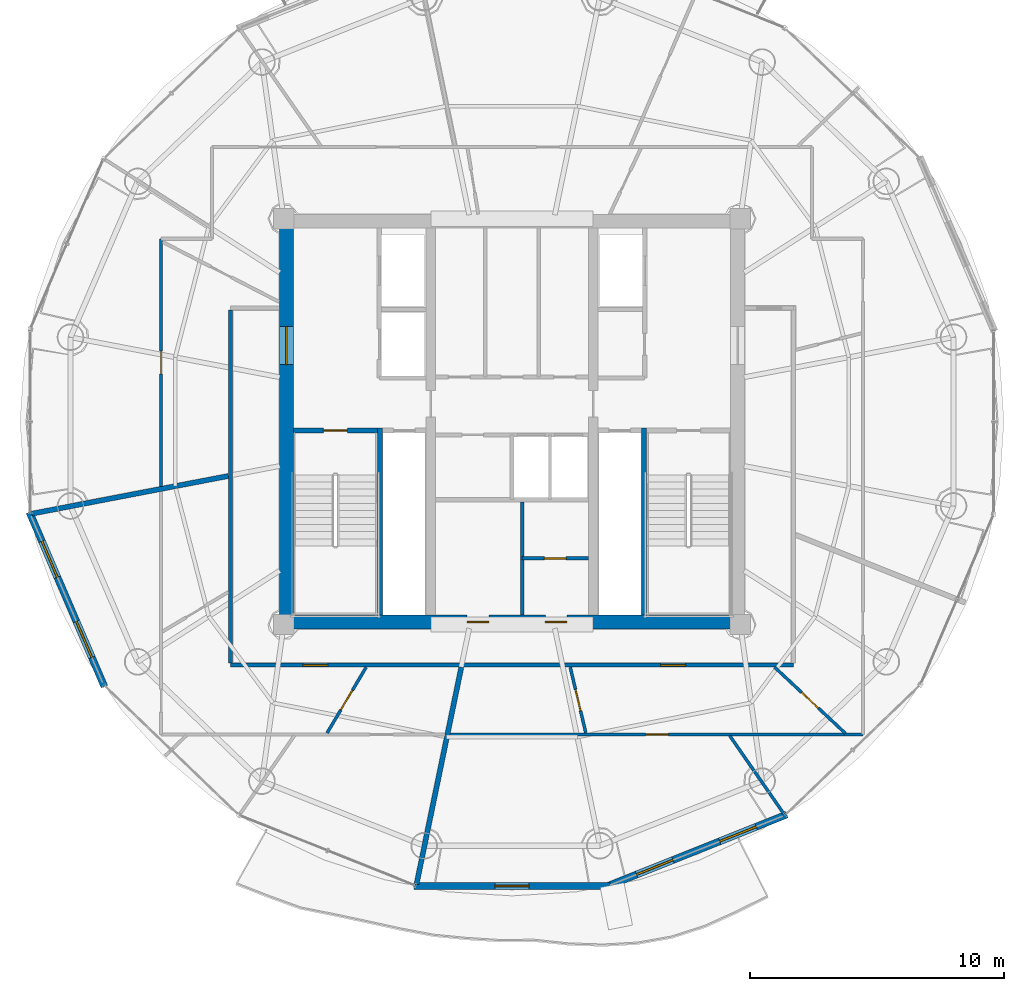
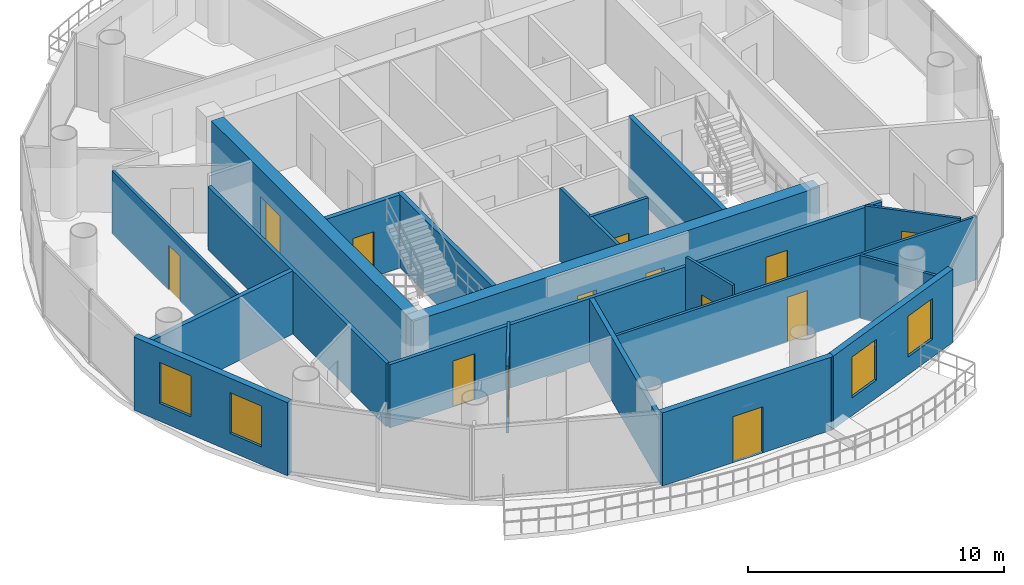
# One storey, part 17 of 23: 20 walls, 13 doors, 4 windows, 17 openings.
"""IFC4 building model written with IfcOpenShell, lengths in metres."""

from ifc_helpers import new_model, si_unit, direction, frame, frame_2d, origin, place, context, subcontext, project, spatial, rectangle, extrude, source, transform, mapped, material, layer, layer_set, type_object, element, fill, save


model = new_model("IFC4")

# Units and contexts
model_context = context("Model", 3, precision=1e-05, world=origin(), true_north=direction((-0.2419218956, 0.970295726276)))
body_context = subcontext(model_context, "Body", "Model", "MODEL_VIEW")
ifc_project = project(units=[si_unit("LENGTHUNIT", "METRE"), si_unit("AREAUNIT", "SQUARE_METRE"), si_unit("VOLUMEUNIT", "CUBIC_METRE"), si_unit("PLANEANGLEUNIT", "RADIAN"), si_unit("MASSUNIT", "GRAM", prefix="KILO")], contexts=[model_context])

# Site, building, storey
site_placement = place(None, origin())
site = spatial("IfcSite", under=ifc_project, at=site_placement, CompositionType="ELEMENT")
building_placement = place(site_placement, origin())
building = spatial("IfcBuilding", under=site, at=building_placement, Name="Cobrevalo Terracotta Tower", CompositionType="ELEMENT")
storey_placement = place(building_placement, frame((0.0, 0.0, 255.699951171875)))
storey = spatial("IfcBuildingStorey", under=building, at=storey_placement, Name="L67", CompositionType="ELEMENT", Elevation=255.699951171875)

# Wall, openings, doors
ifc_material_1 = material(Name="Concrete C50", Category="concrete")
ifc_layer_1 = layer(ifc_material_1, 0.550048828125)
ifc_layer_set_1 = layer_set([ifc_layer_1], Name="Concrete C50")
wall_type_1 = type_object("IfcWallType", Name="Core shear wall 550 mm Concrete C50", PredefinedType="SHEAR", material=ifc_layer_set_1)
wall_1_placement = place(storey_placement, frame((28.824951171875, 18.89990234375, 0.0), z_axis=(0.0, 0.0, 1.0), x_axis=(1.0, 0.0, 0.0)))
wall_1 = element("IfcWall", 1, at=wall_1_placement, inside=storey, type_object=wall_type_1, Name="L67 south core shear wall", PredefinedType="SHEAR", context=body_context, shape_type="SweptSolid", body=[
    extrude(rectangle(XDim=18.35009765625, YDim=0.550048828125, at=frame_2d((9.175048828125, 0.0))), origin(), (0.0, 0.0, 1.0), 3.489990234375),
])
opening_1_placement = place(wall_1_placement, frame((7.409912109375, 0.0, 0.0)))
opening_1 = element("IfcOpeningElement", 2, at=opening_1_placement, cuts=wall_1, Name="Opening ID-22", PredefinedType="OPENING", context=body_context, shape_type="SweptSolid", body=[
    extrude(rectangle(XDim=0.85009765625, YDim=2.10009765625, at=frame_2d((0.425048828125, 1.050048828125))), frame((0.0, 0.28515625, 0.0), z_axis=(0.0, -1.0, 0.0), x_axis=(1.0, 0.0, 0.0)), (0.0, 0.0, 1.0), 0.570068359375),
])
opening_2_placement = place(wall_1_placement, frame((10.489990234375, 0.0, 0.0)))
opening_2 = element("IfcOpeningElement", 3, at=opening_2_placement, cuts=wall_1, Name="Opening ID-22", PredefinedType="OPENING", context=body_context, shape_type="SweptSolid", body=[
    extrude(rectangle(XDim=0.85009765625, YDim=2.10009765625, at=frame_2d((0.425048828125, 1.050048828125))), frame((0.0, 0.28515625, 0.0), z_axis=(0.0, -1.0, 0.0), x_axis=(1.0, 0.0, 0.0)), (0.0, 0.0, 1.0), 0.570068359375),
])
ifc_material_2 = material(Name="Powder-coated steel", Category="steel")
door_type_1 = type_object("IfcDoorType", Name="Riser shaft & meter closet fire access door 850x2100 EI 60", OperationType="NOTDEFINED", PredefinedType="DOOR", material=ifc_material_2)
shared_shape_1 = source(origin(), body_context, "Body", "SweptSolid", [
    extrude(rectangle(XDim=0.85009765625, YDim=2.10009765625, at=frame_2d((0.425048828125, 1.050048828125))), frame((0.0, 0.02490234375, 0.0), z_axis=(0.0, -1.0, 0.0), x_axis=(1.0, 0.0, 0.0)), (0.0, 0.0, 1.0), 0.050048828125),
])
door_1_placement = place(opening_1_placement, origin())
door_1 = element("IfcDoor", 4, at=door_1_placement, inside=storey, type_object=door_type_1, Name="L67 core south plant door Floor AHU Mechanical Plant", OperationType="SINGLE_SWING_RIGHT", OverallHeight=2.10009765625, OverallWidth=0.85009765625, PredefinedType="DOOR", context=body_context, shape_type="MappedRepresentation", body=[
    mapped(shared_shape_1, transform((0.0, 0.0, 0.0), scale=1.0)),
])
fill(opening_1, door_1)
door_2_placement = place(opening_2_placement, origin())
door_2 = element("IfcDoor", 5, at=door_2_placement, inside=storey, type_object=door_type_1, Name="L67 core south plant door Sprinkler Valve Plant", OperationType="SINGLE_SWING_RIGHT", OverallHeight=2.10009765625, OverallWidth=0.85009765625, PredefinedType="DOOR", context=body_context, shape_type="MappedRepresentation", body=[
    mapped(shared_shape_1, transform((0.0, 0.0, 0.0), scale=1.0)),
])
fill(opening_2, door_2)

# Wall, opening, door
wall_2_placement = place(storey_placement, frame((29.10009765625, 19.175048828125, 0.0), z_axis=(0.0, 0.0, 1.0), x_axis=(0.0, 1.0, 0.0)))
wall_2 = element("IfcWall", 6, at=wall_2_placement, inside=storey, type_object=wall_type_1, Name="L67 west core shear wall", PredefinedType="SHEAR", context=body_context, shape_type="SweptSolid", body=[
    extrude(rectangle(XDim=15.25, YDim=0.550048828125, at=frame_2d((7.625, 0.0))), origin(), (0.0, 0.0, 1.0), 3.489990234375),
])
opening_3_placement = place(wall_2_placement, frame((9.875, 0.0, 0.0)))
opening_3 = element("IfcOpeningElement", 7, at=opening_3_placement, cuts=wall_2, Name="Opening ID-14", PredefinedType="OPENING", context=body_context, shape_type="SweptSolid", body=[
    extrude(rectangle(XDim=1.5, YDim=2.199951171875, at=frame_2d((0.75, 1.10009765625))), frame((0.0, 0.28515625, 0.0), z_axis=(0.0, -1.0, 0.0), x_axis=(1.0, 0.0, 0.0)), (0.0, 0.0, 1.0), 0.570068359375),
])
ifc_material_3 = material(Name="Galvanized fire-rated steel", Category="steel")
door_type_2 = type_object("IfcDoorType", Name="Core cross-lobby double fire door 1500x2200 EI 90", OperationType="NOTDEFINED", PredefinedType="DOOR", material=ifc_material_3)
shared_shape_2 = source(origin(), body_context, "Body", "SweptSolid", [
    extrude(rectangle(XDim=1.5, YDim=2.199951171875, at=frame_2d((0.75, 1.10009765625))), frame((0.0, 0.02490234375, 0.0), z_axis=(0.0, -1.0, 0.0), x_axis=(1.0, 0.0, 0.0)), (0.0, 0.0, 1.0), 0.050048828125),
])
door_3_placement = place(opening_3_placement, origin())
door_3 = element("IfcDoor", 8, at=door_3_placement, inside=storey, type_object=door_type_2, Name="L67 west firefighting lobby entrance door", OperationType="DOUBLE_DOOR_SINGLE_SWING", OverallHeight=2.199951171875, OverallWidth=1.5, PredefinedType="DOOR", context=body_context, shape_type="MappedRepresentation", body=[
    mapped(shared_shape_2, transform((0.0, 0.0, 0.0), scale=1.0)),
])
fill(opening_3, door_3)

# Wall, openings, doors
ifc_material_4 = material(Name="Gypsum board on steel stud", Category="steel")
ifc_layer_2 = layer(ifc_material_4, 0.159912109375)
ifc_layer_set_2 = layer_set([ifc_layer_2], Name="Gypsum board on steel stud")
wall_type_2 = type_object("IfcWallType", Name="Fire-rated corridor acoustic partition wall 160 mm", PredefinedType="PARTITIONING", material=ifc_layer_set_2)
wall_3_placement = place(storey_placement, frame((26.89501953125, 17.195068359375, 0.0), z_axis=(0.0, 0.0, 1.0), x_axis=(1.0, 0.0, 0.0)))
wall_3 = element("IfcWall", 9, at=wall_3_placement, inside=storey, type_object=wall_type_2, Name="L67 interior partition IW-L67-COR-S", PredefinedType="PARTITIONING", context=body_context, shape_type="SweptSolid", body=[
    extrude(rectangle(XDim=22.2099609375, YDim=0.159912109375, at=frame_2d((11.10498046875, 0.0))), origin(), (0.0, 0.0, 1.0), 3.01513671875),
])
opening_4_placement = place(wall_3_placement, frame((2.86083984375, 0.0, 0.0)))
opening_4 = element("IfcOpeningElement", 10, at=opening_4_placement, cuts=wall_3, Name="Opening ID-05", PredefinedType="OPENING", context=body_context, shape_type="SweptSolid", body=[
    extrude(rectangle(XDim=0.97998046875, YDim=2.199951171875, at=frame_2d((0.489990234375, 1.10009765625))), frame((0.0, 0.08984375, 0.0), z_axis=(0.0, -1.0, 0.0), x_axis=(1.0, 0.0, 0.0)), (0.0, 0.0, 1.0), 0.179931640625),
])
opening_5_placement = place(wall_3_placement, frame((16.97021484375, 0.0, 0.0)))
opening_5 = element("IfcOpeningElement", 11, at=opening_5_placement, cuts=wall_3, Name="Opening ID-05", PredefinedType="OPENING", context=body_context, shape_type="SweptSolid", body=[
    extrude(rectangle(XDim=0.97998046875, YDim=2.199951171875, at=frame_2d((0.489990234375, 1.10009765625))), frame((0.0, 0.08984375, 0.0), z_axis=(0.0, -1.0, 0.0), x_axis=(1.0, 0.0, 0.0)), (0.0, 0.0, 1.0), 0.179931640625),
])
ifc_material_5 = material(Name="Solid hardwood timber", Category="wood")
door_type_3 = type_object("IfcDoorType", Name="Residence entrance fire-rated acoustic timber door 980x2200 EI 60", OperationType="NOTDEFINED", PredefinedType="DOOR", material=ifc_material_5)
shared_shape_3 = source(origin(), body_context, "Body", "SweptSolid", [
    extrude(rectangle(XDim=0.97998046875, YDim=2.199951171875, at=frame_2d((0.489990234375, 1.10009765625))), frame((0.0, 0.02490234375, 0.0), z_axis=(0.0, -1.0, 0.0), x_axis=(1.0, 0.0, 0.0)), (0.0, 0.0, 1.0), 0.050048828125),
])
door_4_placement = place(opening_4_placement, origin())
door_4 = element("IfcDoor", 12, at=door_4_placement, inside=storey, type_object=door_type_3, Name="Flat L67B fire-rated apartment entrance door", OperationType="SINGLE_SWING_RIGHT", OverallHeight=2.199951171875, OverallWidth=0.97998046875, PredefinedType="DOOR", context=body_context, shape_type="MappedRepresentation", body=[
    mapped(shared_shape_3, transform((0.0, 0.0, 0.0), scale=1.0)),
])
fill(opening_4, door_4)
door_5_placement = place(opening_5_placement, frame((0.97998046875, 0.0, 0.0), z_axis=(0.0, 0.0, 1.0), x_axis=(-1.0, 0.0, 0.0)))
door_5 = element("IfcDoor", 13, at=door_5_placement, inside=storey, type_object=door_type_3, Name="Flat L67C fire-rated apartment entrance door", OperationType="SINGLE_SWING_LEFT", OverallHeight=2.199951171875, OverallWidth=0.97998046875, PredefinedType="DOOR", context=body_context, shape_type="MappedRepresentation", body=[
    mapped(shared_shape_3, transform((0.0, 0.0, 0.0), scale=1.0)),
])
fill(opening_5, door_5)

# Walls
wall_4_placement = place(storey_placement, frame((26.89501953125, 17.27490234375, 0.0), z_axis=(0.0, 0.0, 1.0), x_axis=(0.0, 1.0, 0.0)))
element("IfcWall", 14, at=wall_4_placement, inside=storey, type_object=wall_type_2, Name="L67 interior partition IW-L67-COR-W", PredefinedType="PARTITIONING", context=body_context, shape_type="SweptSolid", body=[
    extrude(rectangle(XDim=13.925048828125, YDim=0.159912109375, at=frame_2d((6.96240234375, 0.0))), origin(), (0.0, 0.0, 1.0), 3.01513671875),
])
ifc_material_6 = material(Name="Autoclaved aerated concrete block", Category="concrete")
ifc_layer_3 = layer(ifc_material_6, 0.199951171875)
ifc_layer_set_3 = layer_set([ifc_layer_3], Name="Autoclaved aerated concrete block")
wall_type_3 = type_object("IfcWallType", Name="Fire-rated stair, shaft & demising masonry wall 200 mm", PredefinedType="PARTITIONING", material=ifc_layer_set_3)
wall_5_placement = place(storey_placement, frame((26.81494140625, 24.655517578125, 0.0), z_axis=(0.0, 0.0, 1.0), x_axis=(-0.982109889803, -0.188308694305, 0.0)))
element("IfcWall", 15, at=wall_5_placement, inside=storey, type_object=wall_type_3, Name="L67 interior partition IW-L67-DEM-2", PredefinedType="PARTITIONING", context=body_context, shape_type="SweptSolid", body=[
    extrude(rectangle(XDim=7.884033203125, YDim=0.199951171875, at=frame_2d((3.94189453125, 0.0))), origin(), (0.0, 0.0, 1.0), 3.01513671875),
])
wall_6_placement = place(storey_placement, frame((36.00146484375, 17.114990234375, 0.0), z_axis=(0.0, 0.0, 1.0), x_axis=(-0.202108543081, -0.979363128167, 0.0)))
element("IfcWall", 16, at=wall_6_placement, inside=storey, type_object=wall_type_3, Name="L67 interior partition IW-L67-DEM-3", PredefinedType="PARTITIONING", context=body_context, shape_type="SweptSolid", body=[
    extrude(rectangle(XDim=8.738525390625, YDim=0.199951171875, at=frame_2d((4.369140625, 0.0))), origin(), (0.0, 0.0, 1.0), 3.01513671875),
])

# Wall, openings, windows
ifc_layer_4 = layer(ifc_material_6, 0.280029296875)
ifc_layer_set_4 = layer_set([ifc_layer_4], Name="Autoclaved aerated concrete block")
wall_type_4 = type_object("IfcWallType", Name="Insulated tower spandrel & pier wall 280 mm with terracotta rainscreen", PredefinedType="SOLIDWALL", material=ifc_layer_set_4)
wall_7_placement = place(storey_placement, frame((18.970703125, 23.231201171875, 0.0), z_axis=(0.0, 0.0, 1.0), x_axis=(0.394816612978, -0.918759948037, 0.0)))
wall_7 = element("IfcWall", 17, at=wall_7_placement, inside=storey, type_object=wall_type_4, Name="L67 terracotta rainscreen pier wall S09", PredefinedType="SOLIDWALL", context=body_context, shape_type="SweptSolid", body=[
    extrude(rectangle(XDim=7.4853515625, YDim=0.280029296875, at=frame_2d((3.74267578125, 0.0))), origin(), (0.0, 0.0, 1.0), 3.489990234375),
])
opening_6_placement = place(wall_7_placement, frame((1.24609375, 0.0, 0.85009765625)))
opening_6 = element("IfcOpeningElement", 18, at=opening_6_placement, cuts=wall_7, Name="Opening WN-12", PredefinedType="OPENING", context=body_context, shape_type="SweptSolid", body=[
    extrude(rectangle(XDim=1.550048828125, YDim=1.949951171875, at=frame_2d((0.77490234375, 0.97509765625))), frame((0.0, 0.14990234375, 0.0), z_axis=(0.0, -1.0, 0.0), x_axis=(1.0, 0.0, 0.0)), (0.0, 0.0, 1.0), 0.300048828125),
])
opening_7_placement = place(wall_7_placement, frame((4.689208984375, 0.0, 0.85009765625)))
opening_7 = element("IfcOpeningElement", 19, at=opening_7_placement, cuts=wall_7, Name="Opening WN-12", PredefinedType="OPENING", context=body_context, shape_type="SweptSolid", body=[
    extrude(rectangle(XDim=1.550048828125, YDim=1.949951171875, at=frame_2d((0.77490234375, 0.97509765625))), frame((0.0, 0.14990234375, 0.0), z_axis=(0.0, -1.0, 0.0), x_axis=(1.0, 0.0, 0.0)), (0.0, 0.0, 1.0), 0.300048828125),
])
ifc_material_7 = material(Name="Solar-control low-E double glazing", Category="glass")
window_type = type_object("IfcWindowType", Name="Solar-control low-E aluminium window 1550x1950", PartitioningType="SINGLE_PANEL", PredefinedType="WINDOW", material=ifc_material_7)
shared_shape_4 = source(origin(), body_context, "Body", "SweptSolid", [
    extrude(rectangle(XDim=1.550048828125, YDim=1.949951171875, at=frame_2d((0.77490234375, 0.97509765625))), frame((0.0, 0.030029296875, 0.0), z_axis=(0.0, -1.0, 0.0), x_axis=(1.0, 0.0, 0.0)), (0.0, 0.0, 1.0), 0.06005859375),
])
window_1_placement = place(opening_6_placement, origin())
window_1 = element("IfcWindow", 20, at=window_1_placement, inside=storey, type_object=window_type, Name="L67 suite window S09A", OverallHeight=1.949951171875, OverallWidth=1.550048828125, PartitioningType="SINGLE_PANEL", PredefinedType="WINDOW", context=body_context, shape_type="MappedRepresentation", body=[
    mapped(shared_shape_4, transform((0.0, 0.0, 0.0), scale=1.0)),
])
fill(opening_6, window_1)
window_2_placement = place(opening_7_placement, origin())
window_2 = element("IfcWindow", 21, at=window_2_placement, inside=storey, type_object=window_type, Name="L67 suite window S09B", OverallHeight=1.949951171875, OverallWidth=1.550048828125, PartitioningType="SINGLE_PANEL", PredefinedType="WINDOW", context=body_context, shape_type="MappedRepresentation", body=[
    mapped(shared_shape_4, transform((0.0, 0.0, 0.0), scale=1.0)),
])
fill(opening_7, window_2)

wall_8_placement = place(storey_placement, frame((41.70458984375, 8.458984375, 0.0), z_axis=(0.0, 0.0, 1.0), x_axis=(0.92871332341, 0.370798547626, 0.0)))
wall_8 = element("IfcWall", 22, at=wall_8_placement, inside=storey, type_object=wall_type_4, Name="L67 terracotta rainscreen pier wall S13", PredefinedType="SOLIDWALL", context=body_context, shape_type="SweptSolid", body=[
    extrude(rectangle(XDim=7.678466796875, YDim=0.280029296875, at=frame_2d((3.83935546875, 0.0))), origin(), (0.0, 0.0, 1.0), 3.489990234375),
])
opening_8_placement = place(wall_8_placement, frame((1.298095703125, 0.0, 0.85009765625)))
opening_8 = element("IfcOpeningElement", 23, at=opening_8_placement, cuts=wall_8, Name="Opening WN-12", PredefinedType="OPENING", context=body_context, shape_type="SweptSolid", body=[
    extrude(rectangle(XDim=1.550048828125, YDim=1.949951171875, at=frame_2d((0.77490234375, 0.97509765625))), frame((0.0, 0.14990234375, 0.0), z_axis=(0.0, -1.0, 0.0), x_axis=(1.0, 0.0, 0.0)), (0.0, 0.0, 1.0), 0.300048828125),
])
opening_9_placement = place(wall_8_placement, frame((4.830078125, 0.0, 0.85009765625)))
opening_9 = element("IfcOpeningElement", 24, at=opening_9_placement, cuts=wall_8, Name="Opening WN-12", PredefinedType="OPENING", context=body_context, shape_type="SweptSolid", body=[
    extrude(rectangle(XDim=1.550048828125, YDim=1.949951171875, at=frame_2d((0.77490234375, 0.97509765625))), frame((0.0, 0.14990234375, 0.0), z_axis=(0.0, -1.0, 0.0), x_axis=(1.0, 0.0, 0.0)), (0.0, 0.0, 1.0), 0.300048828125),
])
window_3_placement = place(opening_8_placement, origin())
window_3 = element("IfcWindow", 25, at=window_3_placement, inside=storey, type_object=window_type, Name="L67 suite window S13A", OverallHeight=1.949951171875, OverallWidth=1.550048828125, PartitioningType="SINGLE_PANEL", PredefinedType="WINDOW", context=body_context, shape_type="MappedRepresentation", body=[
    mapped(shared_shape_4, transform((0.0, 0.0, 0.0), scale=1.0)),
])
fill(opening_8, window_3)
window_4_placement = place(opening_9_placement, origin())
window_4 = element("IfcWindow", 26, at=window_4_placement, inside=storey, type_object=window_type, Name="L67 suite window S13B", OverallHeight=1.949951171875, OverallWidth=1.550048828125, PartitioningType="SINGLE_PANEL", PredefinedType="WINDOW", context=body_context, shape_type="MappedRepresentation", body=[
    mapped(shared_shape_4, transform((0.0, 0.0, 0.0), scale=1.0)),
])
fill(opening_9, window_4)

# Wall
ifc_layer_5 = layer(ifc_material_6, 0.139892578125)
ifc_layer_set_5 = layer_set([ifc_layer_5], Name="Autoclaved aerated concrete block")
wall_type_5 = type_object("IfcWallType", Name="Moisture-resistant wet-room & core service partition 140 mm", PredefinedType="PARTITIONING", material=ifc_layer_set_5)
wall_9_placement = place(storey_placement, frame((38.39990234375, 19.175048828125, 0.0), z_axis=(0.0, 0.0, 1.0), x_axis=(0.0, 1.0, 0.0)))
element("IfcWall", 27, at=wall_9_placement, inside=storey, type_object=wall_type_5, Name="L67 interior partition IW-L67-KVS-L1", PredefinedType="PARTITIONING", context=body_context, shape_type="SweptSolid", body=[
    extrude(rectangle(XDim=4.46484375, YDim=0.139892578125, at=frame_2d((2.232421875, 0.0))), origin(), (0.0, 0.0, 1.0), 3.489990234375),
])

# Wall, opening, door
wall_10_placement = place(storey_placement, frame((38.39990234375, 21.407470703125, 0.0), z_axis=(0.0, 0.0, 1.0), x_axis=(1.0, 0.0, 0.0)))
wall_10 = element("IfcWall", 28, at=wall_10_placement, inside=storey, type_object=wall_type_5, Name="L67 interior partition IW-L67-KVS-L2", PredefinedType="PARTITIONING", context=body_context, shape_type="SweptSolid", body=[
    extrude(rectangle(XDim=2.610107421875, YDim=0.139892578125, at=frame_2d((1.30517578125, 0.0))), origin(), (0.0, 0.0, 1.0), 3.489990234375),
])
opening_10_placement = place(wall_10_placement, frame((0.8798828125, 0.0, 0.0)))
opening_10 = element("IfcOpeningElement", 29, at=opening_10_placement, cuts=wall_10, Name="Opening ID-22", PredefinedType="OPENING", context=body_context, shape_type="SweptSolid", body=[
    extrude(rectangle(XDim=0.85009765625, YDim=2.10009765625, at=frame_2d((0.425048828125, 1.050048828125))), frame((0.0, 0.080078125, 0.0), z_axis=(0.0, -1.0, 0.0), x_axis=(1.0, 0.0, 0.0)), (0.0, 0.0, 1.0), 0.159912109375),
])
door_6_placement = place(opening_10_placement, origin())
door_6 = element("IfcDoor", 30, at=door_6_placement, inside=storey, type_object=door_type_1, Name="L67 core KVS-L2 inner door", OperationType="SINGLE_SWING_LEFT", OverallHeight=2.10009765625, OverallWidth=0.85009765625, PredefinedType="DOOR", context=body_context, shape_type="MappedRepresentation", body=[
    mapped(shared_shape_1, transform((0.0, 0.0, 0.0), scale=1.0)),
])
fill(opening_10, door_6)

ifc_layer_6 = layer(ifc_material_6, 0.260009765625)
ifc_layer_set_6 = layer_set([ifc_layer_6], Name="Autoclaved aerated concrete block")
wall_type_6 = type_object("IfcWallType", Name="Recessed balcony loggia insulated exterior wall 260 mm", PredefinedType="SOLIDWALL", material=ifc_layer_set_6)
wall_11_placement = place(storey_placement, frame((34.14111328125, 8.48876953125, 0.0), z_axis=(0.0, 0.0, 1.0), x_axis=(1.0, 0.0, 0.0)))
wall_11 = element("IfcWall", 31, at=wall_11_placement, inside=storey, type_object=wall_type_6, Name="L67 balcony loggia wall S12", PredefinedType="SOLIDWALL", context=body_context, shape_type="SweptSolid", body=[
    extrude(rectangle(XDim=7.7177734375, YDim=0.260009765625, at=frame_2d((3.85888671875, 0.0))), origin(), (0.0, 0.0, 1.0), 3.489990234375),
])
opening_11_placement = place(wall_11_placement, frame((3.183837890625, 0.0, 0.0)))
opening_11 = element("IfcOpeningElement", 32, at=opening_11_placement, cuts=wall_11, Name="Opening ED-05", PredefinedType="OPENING", context=body_context, shape_type="SweptSolid", body=[
    extrude(rectangle(XDim=1.35009765625, YDim=2.199951171875, at=frame_2d((0.675048828125, 1.10009765625))), frame((0.0, 0.14013671875, 0.0), z_axis=(0.0, -1.0, 0.0), x_axis=(1.0, 0.0, 0.0)), (0.0, 0.0, 1.0), 0.280029296875),
])
ifc_material_8 = material(Name="Anodized aluminium and laminated glass", Category="aluminium")
door_type_4 = type_object("IfcDoorType", Name="Suite balcony acoustic glazed terrace door 1350x2200", OperationType="NOTDEFINED", PredefinedType="DOOR", material=ifc_material_8)
shared_shape_5 = source(origin(), body_context, "Body", "SweptSolid", [
    extrude(rectangle(XDim=1.35009765625, YDim=2.199951171875, at=frame_2d((0.675048828125, 1.10009765625))), frame((0.0, 0.02490234375, 0.0), z_axis=(0.0, -1.0, 0.0), x_axis=(1.0, 0.0, 0.0)), (0.0, 0.0, 1.0), 0.050048828125),
])
door_7_placement = place(opening_11_placement, frame((1.35009765625, 0.0, 0.0), z_axis=(0.0, 0.0, 1.0), x_axis=(-1.0, 0.0, 0.0)))
door_7 = element("IfcDoor", 33, at=door_7_placement, inside=storey, type_object=door_type_4, Name="L67 glazed balcony terrace door 2", OperationType="SINGLE_SWING_RIGHT", OverallHeight=2.199951171875, OverallWidth=1.35009765625, PredefinedType="DOOR", context=body_context, shape_type="MappedRepresentation", body=[
    mapped(shared_shape_5, transform((0.0, 0.0, 0.0), scale=1.0)),
])
fill(opening_11, door_7)

ifc_layer_7 = layer(ifc_material_4, 0.1201171875)
ifc_layer_set_7 = layer_set([ifc_layer_7], Name="Gypsum board on steel stud")
wall_type_7 = type_object("IfcWallType", Name="Residential internal acoustic stud partition 120 mm", PredefinedType="PARTITIONING", material=ifc_layer_set_7)
wall_12_placement = place(storey_placement, frame((24.1650390625, 24.249267578125, 0.0), z_axis=(0.0, 0.0, 1.0), x_axis=(0.0, 1.0, 0.0)))
wall_12 = element("IfcWall", 34, at=wall_12_placement, inside=storey, type_object=wall_type_7, Name="L67 interior partition IW-L67-U1-RING0_0", PredefinedType="PARTITIONING", context=body_context, shape_type="SweptSolid", body=[
    extrude(rectangle(XDim=9.7607421875, YDim=0.1201171875, at=frame_2d((4.88037109375, 0.0))), origin(), (0.0, 0.0, 1.0), 3.01513671875),
])
opening_12_placement = place(wall_12_placement, frame((4.430419921875, 0.0, 0.0)))
opening_12 = element("IfcOpeningElement", 35, at=opening_12_placement, cuts=wall_12, Name="Opening ID-12", PredefinedType="OPENING", context=body_context, shape_type="SweptSolid", body=[
    extrude(rectangle(XDim=0.89990234375, YDim=2.14990234375, at=frame_2d((0.449951171875, 1.074951171875))), frame((0.0, 0.070068359375, 0.0), z_axis=(0.0, -1.0, 0.0), x_axis=(1.0, 0.0, 0.0)), (0.0, 0.0, 1.0), 0.14013671875),
])
ifc_material_9 = material(Name="Engineered timber", Category="wood")
door_type_5 = type_object("IfcDoorType", Name="Internal residence & suite timber door 900x2150", OperationType="NOTDEFINED", PredefinedType="DOOR", material=ifc_material_9)
shared_shape_6 = source(origin(), body_context, "Body", "SweptSolid", [
    extrude(rectangle(XDim=0.89990234375, YDim=2.14990234375, at=frame_2d((0.449951171875, 1.074951171875))), frame((0.0, 0.02490234375, 0.0), z_axis=(0.0, -1.0, 0.0), x_axis=(1.0, 0.0, 0.0)), (0.0, 0.0, 1.0), 0.050048828125),
])
door_8_placement = place(opening_12_placement, origin())
door_8 = element("IfcDoor", 36, at=door_8_placement, inside=storey, type_object=door_type_5, Name="Flat L67A Private Cinema Room internal door", OperationType="SINGLE_SWING_LEFT", OverallHeight=2.14990234375, OverallWidth=0.89990234375, PredefinedType="DOOR", context=body_context, shape_type="MappedRepresentation", body=[
    mapped(shared_shape_6, transform((0.0, 0.0, 0.0), scale=1.0)),
])
fill(opening_12, door_8)

wall_13_placement = place(storey_placement, frame((32.248291015625, 17.114990234375, 0.0), z_axis=(0.0, 0.0, 1.0), x_axis=(-0.510591051721, -0.85982369001, 0.0)))
wall_13 = element("IfcWall", 37, at=wall_13_placement, inside=storey, type_object=wall_type_7, Name="L67 interior partition IW-L67-U2-IRAD2", PredefinedType="PARTITIONING", context=body_context, shape_type="SweptSolid", body=[
    extrude(rectangle(XDim=3.02001953125, YDim=0.1201171875, at=frame_2d((1.510009765625, 0.0))), origin(), (0.0, 0.0, 1.0), 3.208984375),
])
opening_13_placement = place(wall_13_placement, frame((1.06005859375, 0.0, 0.0)))
opening_13 = element("IfcOpeningElement", 38, at=opening_13_placement, cuts=wall_13, Name="Opening ID-12", PredefinedType="OPENING", context=body_context, shape_type="SweptSolid", body=[
    extrude(rectangle(XDim=0.89990234375, YDim=2.14990234375, at=frame_2d((0.449951171875, 1.074951171875))), frame((0.0, 0.070068359375, 0.0), z_axis=(0.0, -1.0, 0.0), x_axis=(1.0, 0.0, 0.0)), (0.0, 0.0, 1.0), 0.14013671875),
])
door_9_placement = place(opening_13_placement, origin())
door_9 = element("IfcDoor", 39, at=door_9_placement, inside=storey, type_object=door_type_5, Name="Flat L67B Kitchen internal door", OperationType="SINGLE_SWING_LEFT", OverallHeight=2.14990234375, OverallWidth=0.89990234375, PredefinedType="DOOR", context=body_context, shape_type="MappedRepresentation", body=[
    mapped(shared_shape_6, transform((0.0, 0.0, 0.0), scale=1.0)),
])
fill(opening_13, door_9)

wall_14_placement = place(storey_placement, frame((51.8349609375, 14.465087890625, 0.0), z_axis=(0.0, 0.0, 1.0), x_axis=(-1.0, 0.0, 0.0)))
wall_14 = element("IfcWall", 40, at=wall_14_placement, inside=storey, type_object=wall_type_7, Name="L67 interior partition IW-L67-U3-RING1_0", PredefinedType="PARTITIONING", context=body_context, shape_type="SweptSolid", body=[
    extrude(rectangle(XDim=16.2783203125, YDim=0.1201171875, at=frame_2d((8.13916015625, 0.0))), origin(), (0.0, 0.0, 1.0), 3.01513671875),
])
opening_14_placement = place(wall_14_placement, frame((7.664794921875, 0.0, 0.0)))
opening_14 = element("IfcOpeningElement", 41, at=opening_14_placement, cuts=wall_14, Name="Opening ID-12", PredefinedType="OPENING", context=body_context, shape_type="SweptSolid", body=[
    extrude(rectangle(XDim=0.89990234375, YDim=2.14990234375, at=frame_2d((0.449951171875, 1.074951171875))), frame((0.0, 0.070068359375, 0.0), z_axis=(0.0, -1.0, 0.0), x_axis=(1.0, 0.0, 0.0)), (0.0, 0.0, 1.0), 0.14013671875),
])
door_10_placement = place(opening_14_placement, origin())
door_10 = element("IfcDoor", 42, at=door_10_placement, inside=storey, type_object=door_type_5, Name="Flat L67C Living and Dining Room internal door", OperationType="SINGLE_SWING_LEFT", OverallHeight=2.14990234375, OverallWidth=0.89990234375, PredefinedType="DOOR", context=body_context, shape_type="MappedRepresentation", body=[
    mapped(shared_shape_6, transform((0.0, 0.0, 0.0), scale=1.0)),
])
fill(opening_14, door_10)

# Wall
wall_15_placement = place(storey_placement, frame((46.5859375, 14.4140625, 0.0), z_axis=(0.0, 0.0, 1.0), x_axis=(0.569657021681, -0.821882520589, 0.0)))
element("IfcWall", 43, at=wall_15_placement, inside=storey, type_object=wall_type_7, Name="L67 interior partition IW-L67-U3-ORAD1", PredefinedType="PARTITIONING", context=body_context, shape_type="SweptSolid", body=[
    extrude(rectangle(XDim=3.747802734375, YDim=0.1201171875, at=frame_2d((1.8740234375, 0.0))), origin(), (0.0, 0.0, 1.0), 3.01513671875),
])

# Wall, opening, door
wall_16_placement = place(storey_placement, frame((40.29638671875, 17.114990234375, 0.0), z_axis=(0.0, 0.0, 1.0), x_axis=(0.230710960444, -0.973022328999, 0.0)))
wall_16 = element("IfcWall", 44, at=wall_16_placement, inside=storey, type_object=wall_type_7, Name="L67 interior partition IW-L67-U3-IRAD1", PredefinedType="PARTITIONING", context=body_context, shape_type="SweptSolid", body=[
    extrude(rectangle(XDim=2.661376953125, YDim=0.1201171875, at=frame_2d((1.33056640625, 0.0))), origin(), (0.0, 0.0, 1.0), 3.489990234375),
])
opening_15_placement = place(wall_16_placement, frame((0.900634765625, 0.0, 0.0)))
opening_15 = element("IfcOpeningElement", 45, at=opening_15_placement, cuts=wall_16, Name="Opening ID-19", PredefinedType="OPENING", context=body_context, shape_type="SweptSolid", body=[
    extrude(rectangle(XDim=0.860107421875, YDim=2.14990234375, at=frame_2d((0.43017578125, 1.074951171875))), frame((0.0, 0.070068359375, 0.0), z_axis=(0.0, -1.0, 0.0), x_axis=(1.0, 0.0, 0.0)), (0.0, 0.0, 1.0), 0.14013671875),
])
ifc_material_10 = material(Name="Moisture-sealed timber", Category="wood")
door_type_6 = type_object("IfcDoorType", Name="Suite bathroom internal timber door 860x2150", OperationType="NOTDEFINED", PredefinedType="DOOR", material=ifc_material_10)
shared_shape_7 = source(origin(), body_context, "Body", "SweptSolid", [
    extrude(rectangle(XDim=0.860107421875, YDim=2.14990234375, at=frame_2d((0.43017578125, 1.074951171875))), frame((0.0, 0.02490234375, 0.0), z_axis=(0.0, -1.0, 0.0), x_axis=(1.0, 0.0, 0.0)), (0.0, 0.0, 1.0), 0.050048828125),
])
door_11_placement = place(opening_15_placement, frame((0.860107421875, 0.0, 0.0), z_axis=(0.0, 0.0, 1.0), x_axis=(-1.0, 0.0, 0.0)))
door_11 = element("IfcDoor", 46, at=door_11_placement, inside=storey, type_object=door_type_6, Name="Flat L67C Primary Bathroom internal door", OperationType="SINGLE_SWING_RIGHT", OverallHeight=2.14990234375, OverallWidth=0.860107421875, PredefinedType="DOOR", context=body_context, shape_type="MappedRepresentation", body=[
    mapped(shared_shape_7, transform((0.0, 0.0, 0.0), scale=1.0)),
])
fill(opening_15, door_11)

wall_17_placement = place(storey_placement, frame((48.35791015625, 17.114990234375, 0.0), z_axis=(0.0, 0.0, 1.0), x_axis=(0.730431927487, -0.682985504464, 0.0)))
wall_17 = element("IfcWall", 47, at=wall_17_placement, inside=storey, type_object=wall_type_7, Name="L67 interior partition IW-L67-U3-IRAD2", PredefinedType="PARTITIONING", context=body_context, shape_type="SweptSolid", body=[
    extrude(rectangle(XDim=3.818115234375, YDim=0.1201171875, at=frame_2d((1.9091796875, 0.0))), origin(), (0.0, 0.0, 1.0), 3.12109375),
])
opening_16_placement = place(wall_17_placement, frame((1.458984375, 0.0, 0.0)))
opening_16 = element("IfcOpeningElement", 48, at=opening_16_placement, cuts=wall_17, Name="Opening ID-12", PredefinedType="OPENING", context=body_context, shape_type="SweptSolid", body=[
    extrude(rectangle(XDim=0.89990234375, YDim=2.14990234375, at=frame_2d((0.449951171875, 1.074951171875))), frame((0.0, 0.070068359375, 0.0), z_axis=(0.0, -1.0, 0.0), x_axis=(1.0, 0.0, 0.0)), (0.0, 0.0, 1.0), 0.14013671875),
])
door_12_placement = place(opening_16_placement, origin())
door_12 = element("IfcDoor", 49, at=door_12_placement, inside=storey, type_object=door_type_5, Name="Flat L67C Kitchen internal door", OperationType="SINGLE_SWING_RIGHT", OverallHeight=2.14990234375, OverallWidth=0.89990234375, PredefinedType="DOOR", context=body_context, shape_type="MappedRepresentation", body=[
    mapped(shared_shape_6, transform((0.0, 0.0, 0.0), scale=1.0)),
])
fill(opening_16, door_12)

# Wall
ifc_layer_8 = layer(ifc_material_1, 0.199951171875)
ifc_layer_set_8 = layer_set([ifc_layer_8], Name="Concrete C50")
wall_type_8 = type_object("IfcWallType", Name="Structural core & podium stair-shaft RC wall 200 mm Concrete C50", PredefinedType="SOLIDWALL", material=ifc_layer_set_8)
wall_18_placement = place(storey_placement, frame((32.794921875, 19.175048828125, 0.0), z_axis=(0.0, 0.0, 1.0), x_axis=(0.0, 1.0, 0.0)))
element("IfcWall", 50, at=wall_18_placement, inside=storey, type_object=wall_type_8, Name="L67 ST-1 east structural shaft wall", PredefinedType="SOLIDWALL", context=body_context, shape_type="SweptSolid", body=[
    extrude(rectangle(XDim=7.375, YDim=0.199951171875, at=frame_2d((3.6875, 0.0))), origin(), (0.0, 0.0, 1.0), 3.489990234375),
])

# Wall, opening, door
wall_19_placement = place(storey_placement, frame((29.375, 26.449951171875, 0.0), z_axis=(0.0, 0.0, 1.0), x_axis=(1.0, 0.0, 0.0)))
wall_19 = element("IfcWall", 51, at=wall_19_placement, inside=storey, type_object=wall_type_8, Name="L67 ST-1 north structural shaft wall", PredefinedType="SOLIDWALL", context=body_context, shape_type="SweptSolid", body=[
    extrude(rectangle(XDim=3.320068359375, YDim=0.199951171875, at=frame_2d((1.66015625, 0.0))), origin(), (0.0, 0.0, 1.0), 3.489990234375),
])
opening_17_placement = place(wall_19_placement, frame((1.18505859375, 0.0, 0.0)))
opening_17 = element("IfcOpeningElement", 52, at=opening_17_placement, cuts=wall_19, Name="Opening ID-04", PredefinedType="OPENING", context=body_context, shape_type="SweptSolid", body=[
    extrude(rectangle(XDim=0.949951171875, YDim=2.14990234375, at=frame_2d((0.47509765625, 1.074951171875))), frame((0.0, 0.10986328125, 0.0), z_axis=(0.0, -1.0, 0.0), x_axis=(1.0, 0.0, 0.0)), (0.0, 0.0, 1.0), 0.219970703125),
])
door_type_7 = type_object("IfcDoorType", Name="Stair & firefighting lobby fire door 950x2150 EI 90", OperationType="NOTDEFINED", PredefinedType="DOOR", material=ifc_material_3)
shared_shape_8 = source(origin(), body_context, "Body", "SweptSolid", [
    extrude(rectangle(XDim=0.949951171875, YDim=2.14990234375, at=frame_2d((0.47509765625, 1.074951171875))), frame((0.0, 0.02490234375, 0.0), z_axis=(0.0, -1.0, 0.0), x_axis=(1.0, 0.0, 0.0)), (0.0, 0.0, 1.0), 0.050048828125),
])
door_13_placement = place(opening_17_placement, origin())
door_13 = element("IfcDoor", 53, at=door_13_placement, inside=storey, type_object=door_type_7, Name="L67 protected stair ST1 fire door", OperationType="SINGLE_SWING_LEFT", OverallHeight=2.14990234375, OverallWidth=0.949951171875, PredefinedType="DOOR", context=body_context, shape_type="MappedRepresentation", body=[
    mapped(shared_shape_8, transform((0.0, 0.0, 0.0), scale=1.0)),
])
fill(opening_17, door_13)

# Wall
wall_20_placement = place(storey_placement, frame((43.205078125, 19.175048828125, 0.0), z_axis=(0.0, 0.0, 1.0), x_axis=(0.0, 1.0, 0.0)))
element("IfcWall", 54, at=wall_20_placement, inside=storey, type_object=wall_type_8, Name="L67 ST-2 west structural shaft wall", PredefinedType="SOLIDWALL", context=body_context, shape_type="SweptSolid", body=[
    extrude(rectangle(XDim=7.375, YDim=0.199951171875, at=frame_2d((3.6875, 0.0))), origin(), (0.0, 0.0, 1.0), 3.489990234375),
])

save(model, "model.ifc")
